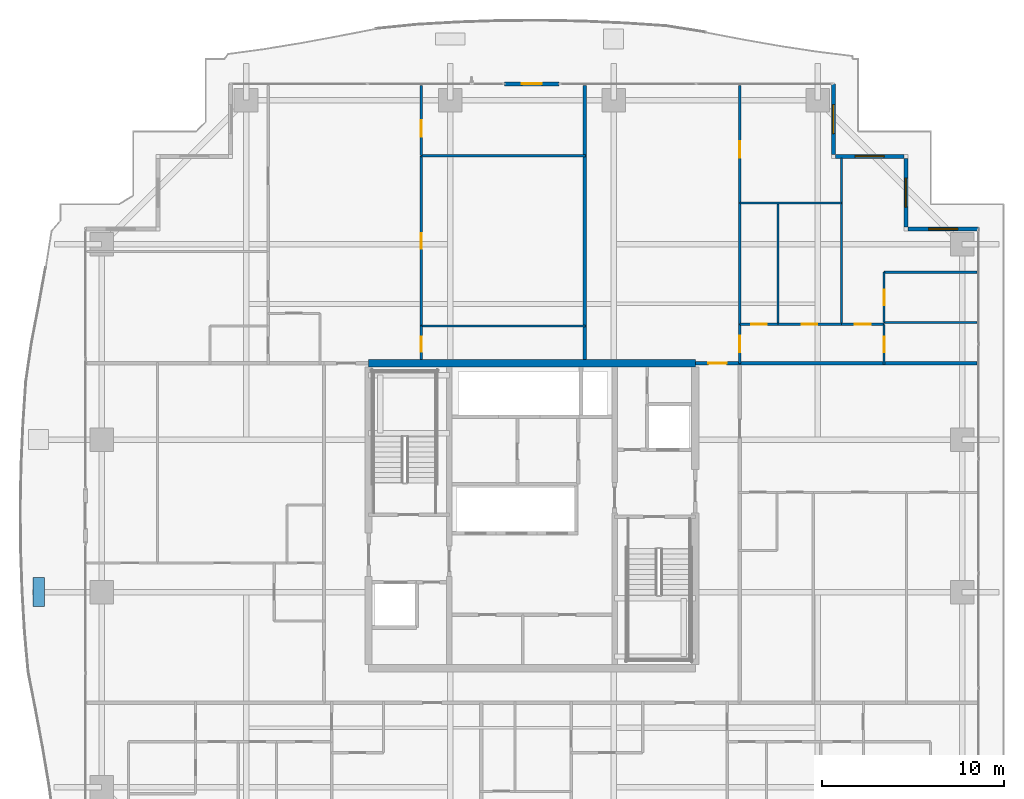
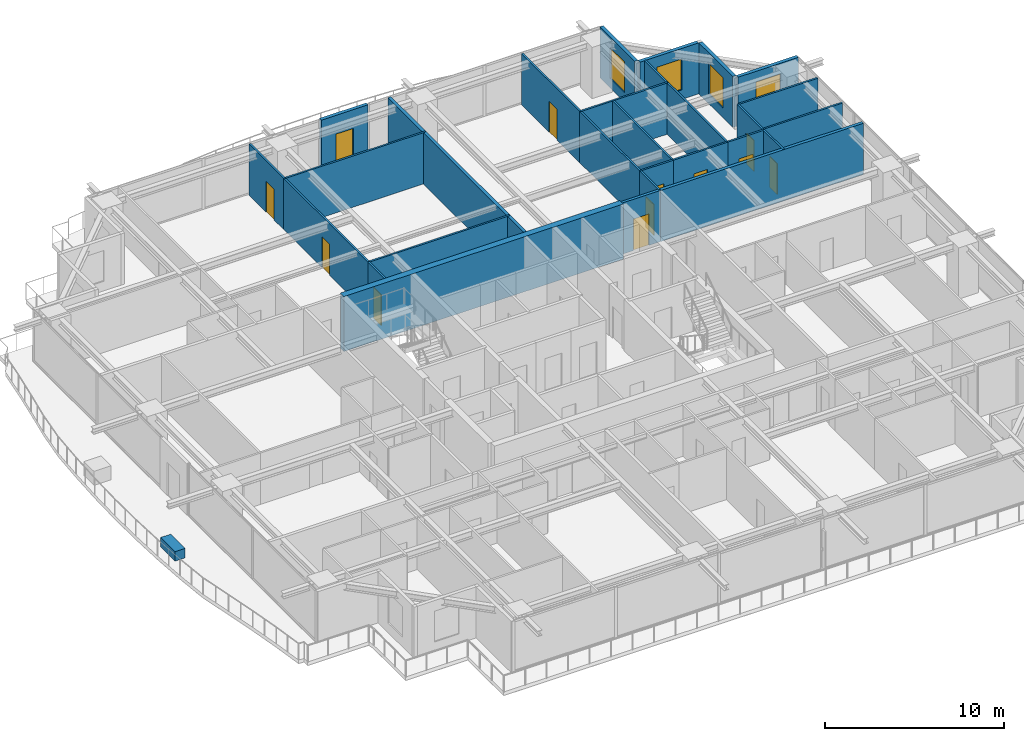
# One storey, part 31 of 39: 27 walls, 12 doors, 4 windows, 1 discrete accessory, 16 openings.
"""IFC4 building model written with IfcOpenShell, lengths in metres."""

import ifcopenshell
import ifcopenshell.guid

model = None  # the IFC model being written
_history = None  # IfcOwnerHistory: only IFC2X3 demands one
_inside = {}  # id of a spatial element -> (the spatial element, [elements in it])
_under = {}  # id of a project, library or spatial element -> (it, [spatial elements below it])
_declared = {}  # id of a project -> (the project, [libraries it declares])
_typed = {}  # id of a type object -> (the type object, [elements of that type])
_made_of = {}  # id of a material, layer set ... -> (it, [elements and type objects made of it])


def new_model(schema):
    """Start an empty IFC model of exactly this schema.

    Asked for "IFC4X3", IfcOpenShell would pick the latest addendum, in which some entities
    have other attributes; the version numbers below select the first issue.
    IFC2X3 requires an IfcOwnerHistory on every rooted entity: one is made here for all.
    """
    global model, _history
    if schema == "IFC4X3":
        model = ifcopenshell.file(schema_version=(4, 3, 0, 0))
    else:
        model = ifcopenshell.file(schema=schema)
    _inside.clear()
    _under.clear()
    _declared.clear()
    _typed.clear()
    _made_of.clear()
    _history = None
    if model.schema == "IFC2X3":
        org = make("IfcOrganization", Name="unknown")
        user = make(
            "IfcPersonAndOrganization",
            ThePerson=make("IfcPerson", FamilyName="unknown"),
            TheOrganization=org,
        )
        app = make(
            "IfcApplication",
            ApplicationDeveloper=org,
            Version="unknown",
            ApplicationFullName="unknown",
            ApplicationIdentifier="unknown",
        )
        _history = make(
            "IfcOwnerHistory",
            OwningUser=user,
            OwningApplication=app,
            ChangeAction="ADDED",
            CreationDate=0,
        )
    return model


def make(cls, **values):
    """One entity of the class cls with the attributes given. An attribute that is None is left unset."""
    return model.create_entity(
        cls, **{name: value for name, value in values.items() if value is not None}
    )


def rooted(cls, **values):
    """An entity with a GlobalId (a new one), such as an element, a storey or a relation."""
    return make(cls, GlobalId=ifcopenshell.guid.new(), OwnerHistory=_history, **values)


def si_unit(unit_type, name, prefix=None):
    """IfcSIUnit, for example si_unit("LENGTHUNIT", "METRE", prefix="MILLI")."""
    return make("IfcSIUnit", UnitType=unit_type, Prefix=prefix, Name=name)


def assignment(units):
    """IfcUnitAssignment: the units of a project."""
    return None if units is None else make("IfcUnitAssignment", Units=units)


def point(xyz):
    """IfcCartesianPoint."""
    return None if xyz is None else make("IfcCartesianPoint", Coordinates=xyz)


def direction(xyz):
    """IfcDirection."""
    return None if xyz is None else make("IfcDirection", DirectionRatios=xyz)


def frame(location, z_axis=None, x_axis=None):
    """IfcAxis2Placement3D, a coordinate frame: its origin and axes. An axis left out is left unset."""
    return make(
        "IfcAxis2Placement3D",
        Location=point(location),
        Axis=direction(z_axis),
        RefDirection=direction(x_axis),
    )


def frame_2d(location, x_axis=None):
    """IfcAxis2Placement2D, a coordinate frame in the plane: its origin and x axis."""
    return make(
        "IfcAxis2Placement2D", Location=point(location), RefDirection=direction(x_axis)
    )


def origin():
    """The frame at (0, 0, 0) with its axes left unset."""
    return frame((0.0, 0.0, 0.0))


def origin_2d():
    """The frame at (0, 0) in the plane with its x axis left unset."""
    return frame_2d((0.0, 0.0))


def place(relative_to, where):
    """IfcLocalPlacement: puts the frame where relative to a parent placement (None: the world)."""
    return make(
        "IfcLocalPlacement", PlacementRelTo=relative_to, RelativePlacement=where
    )


def context(
    kind, dimensions, precision=None, world=None, true_north=None, identifier=None
):
    """IfcGeometricRepresentationContext, for example the 3D "Model" context."""
    return make(
        "IfcGeometricRepresentationContext",
        ContextIdentifier=identifier,
        ContextType=kind,
        CoordinateSpaceDimension=dimensions,
        Precision=precision,
        WorldCoordinateSystem=world,
        TrueNorth=true_north,
    )


def subcontext(parent, identifier, kind, view, scale=None):
    """IfcGeometricRepresentationSubContext, for example "Body" below "Model"."""
    return make(
        "IfcGeometricRepresentationSubContext",
        ContextIdentifier=identifier,
        ContextType=kind,
        ParentContext=parent,
        TargetScale=scale,
        TargetView=view,
    )


def project(units=None, contexts=None):
    """IfcProject with its units and contexts."""
    return rooted(
        "IfcProject",
        Name="project",
        RepresentationContexts=contexts,
        UnitsInContext=assignment(units),
    )


def spatial(cls, under=None, at=None, **own):
    """A site, building, storey or space (cls), placed at a placement, below another one or the project."""
    s = rooted(cls, ObjectPlacement=at, **own)
    if under is not None:
        _under.setdefault(under.id(), (under, []))[1].append(s)
    return s


def profile(cls, at=None, kind="AREA", **sizes):
    """A parametric profile (cls). Its sizes go by their IFC names, for example OverallWidth=200.0."""
    return make(cls, ProfileType=kind, Position=at, **sizes)


def rectangle(**sizes):
    """IfcRectangleProfileDef."""
    return profile("IfcRectangleProfileDef", **sizes)


def extrude(swept, where, along, depth):
    """IfcExtrudedAreaSolid: the profile swept, set in the frame where, extruded along a direction by depth."""
    return make(
        "IfcExtrudedAreaSolid",
        SweptArea=swept,
        Position=where,
        ExtrudedDirection=direction(along),
        Depth=depth,
    )


def shape(context_of_items, identifier, shape_type, items):
    """IfcShapeRepresentation: the items that make up one representation, for example the "Body"."""
    return make(
        "IfcShapeRepresentation",
        ContextOfItems=context_of_items,
        RepresentationIdentifier=identifier,
        RepresentationType=shape_type,
        Items=items,
    )


def source(mapping_origin, context_of_items, identifier, shape_type, items):
    """IfcRepresentationMap: a shape defined once, which mapped items show again and again."""
    return make(
        "IfcRepresentationMap",
        MappingOrigin=mapping_origin,
        MappedRepresentation=shape(context_of_items, identifier, shape_type, items),
    )


def transform(
    local_origin,
    x_axis=None,
    y_axis=None,
    z_axis=None,
    scale=None,
    scale2=None,
    scale3=None,
    uniform=True,
):
    """IfcCartesianTransformationOperator3D, or its non-uniform kind. x_axis, y_axis, z_axis: its Axis1, 2, 3."""
    if uniform:
        return make(
            "IfcCartesianTransformationOperator3D",
            Axis1=direction(x_axis),
            Axis2=direction(y_axis),
            LocalOrigin=point(local_origin),
            Scale=scale,
            Axis3=direction(z_axis),
        )
    return make(
        "IfcCartesianTransformationOperator3DnonUniform",
        Axis1=direction(x_axis),
        Axis2=direction(y_axis),
        LocalOrigin=point(local_origin),
        Scale=scale,
        Axis3=direction(z_axis),
        Scale2=scale2,
        Scale3=scale3,
    )


def mapped(mapping_source, mapping_target):
    """IfcMappedItem: shows the shape of a source again, moved by a transform."""
    return make(
        "IfcMappedItem", MappingSource=mapping_source, MappingTarget=mapping_target
    )


def material(Name=None, Category=None):
    """IfcMaterial."""
    return make("IfcMaterial", Name=Name, Category=Category)


def layer(
    of_material, thickness, ventilated=None, Name=None, Category=None, Priority=None
):
    """IfcMaterialLayer: one layer of a wall or slab, of a material (None: an air gap)."""
    return make(
        "IfcMaterialLayer",
        Material=of_material,
        LayerThickness=thickness,
        IsVentilated=ventilated,
        Name=Name,
        Category=Category,
        Priority=Priority,
    )


def layer_set(layers, Name=None):
    """IfcMaterialLayerSet."""
    return make("IfcMaterialLayerSet", MaterialLayers=layers, LayerSetName=Name)


def made_of(thing, what):
    """Note that an element or type object is made of a material, layer set ...; save() writes the relation."""
    if what is not None:
        _made_of.setdefault(what.id(), (what, []))[1].append(thing)
    return thing


def type_object(cls, material=None, **own):
    """A type object (cls), such as IfcWallType, which elements share."""
    return made_of(rooted(cls, **own), material)


def element(
    cls,
    number,
    at=None,
    inside=None,
    cuts=None,
    type_object=None,
    material=None,
    context=None,
    identifier="Body",
    shape_type=None,
    held_by="IfcProductDefinitionShape",
    body=None,
    shapes=None,
    **own,
):
    """One element of the class cls, such as IfcWall. Its Tag is "e" and its number.

    at: its placement. inside: the storey or other place that contains it. cuts: it is an
    opening in that element (IfcRelVoidsElement). A single representation is given by context,
    identifier, shape_type and body (its items); several are given by shapes. held_by: the class
    of the entity that holds the representations. save() writes the other relations.
    """
    e = rooted(cls, Tag="e%d" % number, ObjectPlacement=at, **own)
    if body is not None:
        shapes = [shape(context, identifier, shape_type, body)]
    if shapes is not None:
        e.Representation = make(held_by, Representations=shapes)
    if inside is not None:
        _inside.setdefault(inside.id(), (inside, []))[1].append(e)
    if cuts is not None:
        rooted(
            "IfcRelVoidsElement", RelatingBuildingElement=cuts, RelatedOpeningElement=e
        )
    if type_object is not None:
        _typed.setdefault(type_object.id(), (type_object, []))[1].append(e)
    return made_of(e, material)


def fill(opening, filler):
    """IfcRelFillsElement: the door or window that sits in an opening."""
    return rooted(
        "IfcRelFillsElement",
        RelatingOpeningElement=opening,
        RelatedBuildingElement=filler,
    )


def aggregate(whole, parts):
    """IfcRelAggregates: a whole, such as a stair, and the parts it consists of."""
    return rooted("IfcRelAggregates", RelatingObject=whole, RelatedObjects=parts)


def save(model, path):
    """Write the relations noted so far, then the file.

    IfcRelAggregates (storeys below a building ...), IfcRelContainedInSpatialStructure (elements
    in a storey), IfcRelDefinesByType, IfcRelAssociatesMaterial and IfcRelDeclares: one each for
    every whole, place, type object, material and project.
    """
    for whole, parts in _under.values():
        aggregate(whole, parts)
    for where, things in _inside.values():
        rooted(
            "IfcRelContainedInSpatialStructure",
            RelatedElements=things,
            RelatingStructure=where,
        )
    for kind, things in _typed.values():
        rooted("IfcRelDefinesByType", RelatedObjects=things, RelatingType=kind)
    for what, things in _made_of.values():
        rooted("IfcRelAssociatesMaterial", RelatedObjects=things, RelatingMaterial=what)
    for by, libraries in _declared.values():
        rooted("IfcRelDeclares", RelatingContext=by, RelatedDefinitions=libraries)
    model.write(path)


model = new_model("IFC4")

# Units and contexts
model_context = context("Model", 3, precision=1e-05, world=origin(), true_north=direction((0.0, 1.0)))
body_context = subcontext(model_context, "Body", "Model", "MODEL_VIEW")
ifc_project = project(units=[si_unit("LENGTHUNIT", "METRE"), si_unit("AREAUNIT", "SQUARE_METRE"), si_unit("VOLUMEUNIT", "CUBIC_METRE"), si_unit("PLANEANGLEUNIT", "RADIAN"), si_unit("MASSUNIT", "GRAM", prefix="KILO")], contexts=[model_context])

# Site, building, storey
site_placement = place(None, origin())
site = spatial("IfcSite", under=ifc_project, at=site_placement, CompositionType="ELEMENT")
building_placement = place(site_placement, origin())
building = spatial("IfcBuilding", under=site, at=building_placement, Name="Serunith Strait Residences", CompositionType="ELEMENT")
storey_placement = place(building_placement, frame((0.0, 0.0, 168.89990234375)))
storey = spatial("IfcBuildingStorey", under=building, at=storey_placement, Name="L42", CompositionType="ELEMENT", Elevation=168.89990234375)

# Wall, opening, window
ifc_material_1 = material(Name="Pale-Champagne Aluminium Insulated Panel", Category="aluminium")
ifc_layer_1 = layer(ifc_material_1, 0.219970703125, Name="Pale-Champagne Aluminium Insulated Panel")
ifc_layer_set_1 = layer_set([ifc_layer_1], Name="Pale-Champagne Aluminium Insulated Panel")
wall_type_1 = type_object("IfcWallType", Name="EW-ALUM-220", PredefinedType="ELEMENTEDWALL", material=ifc_layer_set_1)
wall_1_placement = place(storey_placement, frame((57.0, 41.0, 0.0), z_axis=(0.0, 0.0, 1.0), x_axis=(-1.0, 0.0, 0.0)))
wall_1 = element("IfcWall", 1, at=wall_1_placement, inside=storey, type_object=wall_type_1, Name="L42 Girih Serrated Corner Wall 07", PredefinedType="ELEMENTEDWALL", context=body_context, shape_type="SweptSolid", body=[
    extrude(rectangle(XDim=3.889892578125, YDim=0.219970703125, at=frame_2d((1.94482421875, 0.0))), origin(), (0.0, 0.0, 1.0), 3.47509765625),
])
opening_1_placement = place(wall_1_placement, frame((1.14501953125, 0.0, 0.64990234375)))
opening_1 = element("IfcOpeningElement", 2, at=opening_1_placement, cuts=wall_1, Name="Opening W-02", PredefinedType="OPENING", context=body_context, shape_type="SweptSolid", body=[
    extrude(rectangle(XDim=1.60009765625, YDim=2.10009765625, at=frame_2d((0.800048828125, 1.050048828125))), frame((0.0, 0.1201171875, 0.0), z_axis=(0.0, -1.0, 0.0), x_axis=(1.0, 0.0, 0.0)), (0.0, 0.0, 1.0), 0.239990234375),
])
ifc_material_2 = material(Name="Ceramic-Fritted Operable Aluminium Window Glass", Category="aluminium")
window_type = type_object("IfcWindowType", Name="WIN-C2", PartitioningType="DOUBLE_PANEL_VERTICAL", PredefinedType="WINDOW", material=ifc_material_2)
shared_shape_1 = source(origin(), body_context, "Body", "SweptSolid", [
    extrude(rectangle(XDim=1.60009765625, YDim=2.10009765625, at=frame_2d((0.800048828125, 1.050048828125))), frame((0.0, 0.030029296875, 0.0), z_axis=(0.0, -1.0, 0.0), x_axis=(1.0, 0.0, 0.0)), (0.0, 0.0, 1.0), 0.06005859375),
])
window_1_placement = place(opening_1_placement, origin())
window_1 = element("IfcWindow", 3, at=window_1_placement, inside=storey, type_object=window_type, Name="L42 Corner Operable Fritted Window 07", OverallHeight=2.10009765625, OverallWidth=1.60009765625, PartitioningType="SINGLE_PANEL", PredefinedType="WINDOW", context=body_context, shape_type="MappedRepresentation", body=[
    mapped(shared_shape_1, transform((0.0, 0.0, 0.0), scale=1.0)),
])
fill(opening_1, window_1)

wall_2_placement = place(storey_placement, frame((53.0, 41.110107421875, 0.0), z_axis=(0.0, 0.0, 1.0), x_axis=(0.0, 1.0, 0.0)))
wall_2 = element("IfcWall", 4, at=wall_2_placement, inside=storey, type_object=wall_type_1, Name="L42 Girih Serrated Corner Wall 08", PredefinedType="ELEMENTEDWALL", context=body_context, shape_type="SweptSolid", body=[
    extrude(rectangle(XDim=3.77978515625, YDim=0.219970703125, at=frame_2d((1.889892578125, 0.0))), origin(), (0.0, 0.0, 1.0), 3.47509765625),
])
opening_2_placement = place(wall_2_placement, frame((1.090087890625, 0.0, 0.64990234375)))
opening_2 = element("IfcOpeningElement", 5, at=opening_2_placement, cuts=wall_2, Name="Opening W-02", PredefinedType="OPENING", context=body_context, shape_type="SweptSolid", body=[
    extrude(rectangle(XDim=1.60009765625, YDim=2.10009765625, at=frame_2d((0.800048828125, 1.050048828125))), frame((0.0, 0.1201171875, 0.0), z_axis=(0.0, -1.0, 0.0), x_axis=(1.0, 0.0, 0.0)), (0.0, 0.0, 1.0), 0.239990234375),
])
window_2_placement = place(opening_2_placement, origin())
window_2 = element("IfcWindow", 6, at=window_2_placement, inside=storey, type_object=window_type, Name="L42 Corner Operable Fritted Window 08", OverallHeight=2.10009765625, OverallWidth=1.60009765625, PartitioningType="SINGLE_PANEL", PredefinedType="WINDOW", context=body_context, shape_type="MappedRepresentation", body=[
    mapped(shared_shape_1, transform((0.0, 0.0, 0.0), scale=1.0)),
])
fill(opening_2, window_2)

wall_3_placement = place(storey_placement, frame((52.889892578125, 45.0, 0.0), z_axis=(0.0, 0.0, 1.0), x_axis=(-1.0, 0.0, 0.0)))
wall_3 = element("IfcWall", 7, at=wall_3_placement, inside=storey, type_object=wall_type_1, Name="L42 Girih Serrated Corner Wall 09", PredefinedType="ELEMENTEDWALL", context=body_context, shape_type="SweptSolid", body=[
    extrude(rectangle(XDim=3.77978515625, YDim=0.219970703125, at=frame_2d((1.889892578125, 0.0))), origin(), (0.0, 0.0, 1.0), 3.47509765625),
])
opening_3_placement = place(wall_3_placement, frame((1.090087890625, 0.0, 0.64990234375)))
opening_3 = element("IfcOpeningElement", 8, at=opening_3_placement, cuts=wall_3, Name="Opening W-02", PredefinedType="OPENING", context=body_context, shape_type="SweptSolid", body=[
    extrude(rectangle(XDim=1.60009765625, YDim=2.10009765625, at=frame_2d((0.800048828125, 1.050048828125))), frame((0.0, 0.1201171875, 0.0), z_axis=(0.0, -1.0, 0.0), x_axis=(1.0, 0.0, 0.0)), (0.0, 0.0, 1.0), 0.239990234375),
])
window_3_placement = place(opening_3_placement, origin())
window_3 = element("IfcWindow", 9, at=window_3_placement, inside=storey, type_object=window_type, Name="L42 Corner Operable Fritted Window 09", OverallHeight=2.10009765625, OverallWidth=1.60009765625, PartitioningType="SINGLE_PANEL", PredefinedType="WINDOW", context=body_context, shape_type="MappedRepresentation", body=[
    mapped(shared_shape_1, transform((0.0, 0.0, 0.0), scale=1.0)),
])
fill(opening_3, window_3)

wall_4_placement = place(storey_placement, frame((49.0, 45.110107421875, 0.0), z_axis=(0.0, 0.0, 1.0), x_axis=(0.0, 1.0, 0.0)))
wall_4 = element("IfcWall", 10, at=wall_4_placement, inside=storey, type_object=wall_type_1, Name="L42 Girih Serrated Corner Wall 10", PredefinedType="ELEMENTEDWALL", context=body_context, shape_type="SweptSolid", body=[
    extrude(rectangle(XDim=3.889892578125, YDim=0.219970703125, at=frame_2d((1.94482421875, 0.0))), origin(), (0.0, 0.0, 1.0), 3.47509765625),
])
opening_4_placement = place(wall_4_placement, frame((1.14501953125, 0.0, 0.64990234375)))
opening_4 = element("IfcOpeningElement", 11, at=opening_4_placement, cuts=wall_4, Name="Opening W-02", PredefinedType="OPENING", context=body_context, shape_type="SweptSolid", body=[
    extrude(rectangle(XDim=1.60009765625, YDim=2.10009765625, at=frame_2d((0.800048828125, 1.050048828125))), frame((0.0, 0.1201171875, 0.0), z_axis=(0.0, -1.0, 0.0), x_axis=(1.0, 0.0, 0.0)), (0.0, 0.0, 1.0), 0.239990234375),
])
window_4_placement = place(opening_4_placement, origin())
window_4 = element("IfcWindow", 12, at=window_4_placement, inside=storey, type_object=window_type, Name="L42 Corner Operable Fritted Window 10", OverallHeight=2.10009765625, OverallWidth=1.60009765625, PartitioningType="SINGLE_PANEL", PredefinedType="WINDOW", context=body_context, shape_type="MappedRepresentation", body=[
    mapped(shared_shape_1, transform((0.0, 0.0, 0.0), scale=1.0)),
])
fill(opening_4, window_4)

# Wall, opening, door
wall_5_placement = place(storey_placement, frame((33.89990234375, 49.0, 0.0), z_axis=(0.0, 0.0, 1.0), x_axis=(-1.0, 0.0, 0.0)))
wall_5 = element("IfcWall", 13, at=wall_5_placement, inside=storey, type_object=wall_type_1, Name="L42 N Facade Pier Wall", PredefinedType="ELEMENTEDWALL", context=body_context, shape_type="SweptSolid", body=[
    extrude(rectangle(XDim=3.0, YDim=0.219970703125, at=frame_2d((1.5, 0.0))), origin(), (0.0, 0.0, 1.0), 3.47509765625),
])
opening_5_placement = place(wall_5_placement, frame((0.949951171875, 0.0, 0.0)))
opening_5 = element("IfcOpeningElement", 14, at=opening_5_placement, cuts=wall_5, Name="Opening ED-03", PredefinedType="OPENING", context=body_context, shape_type="SweptSolid", body=[
    extrude(rectangle(XDim=1.10009765625, YDim=2.199951171875, at=frame_2d((0.550048828125, 1.10009765625))), frame((0.0, 0.1201171875, 0.0), z_axis=(0.0, -1.0, 0.0), x_axis=(1.0, 0.0, 0.0)), (0.0, 0.0, 1.0), 0.239990234375),
])
ifc_material_3 = material(Name="Thermally-Broken Aluminium Glazed Balcony Door", Category="aluminium")
door_type_1 = type_object("IfcDoorType", Name="ED-BALC-1100", OperationType="NOTDEFINED", PredefinedType="DOOR", material=ifc_material_3)
shared_shape_2 = source(origin(), body_context, "Body", "SweptSolid", [
    extrude(rectangle(XDim=1.10009765625, YDim=2.199951171875, at=frame_2d((0.550048828125, 1.10009765625))), frame((0.0, 0.02490234375, 0.0), z_axis=(0.0, -1.0, 0.0), x_axis=(1.0, 0.0, 0.0)), (0.0, 0.0, 1.0), 0.050048828125),
])
door_1_placement = place(opening_5_placement, origin())
door_1 = element("IfcDoor", 15, at=door_1_placement, inside=storey, type_object=door_type_1, Name="L42 N Vertical-Forest Balcony Door", OperationType="SINGLE_SWING_RIGHT", OverallHeight=2.199951171875, OverallWidth=1.10009765625, PredefinedType="DOOR", context=body_context, shape_type="MappedRepresentation", body=[
    mapped(shared_shape_2, transform((0.0, 0.0, 0.0), scale=1.0)),
])
fill(opening_5, door_1)

ifc_material_4 = material(Name="Fire-rated acoustic gypsum partition")
ifc_layer_2 = layer(ifc_material_4, 0.179931640625, Name="Fire-rated acoustic gypsum partition")
ifc_layer_set_2 = layer_set([ifc_layer_2], Name="Fire-rated acoustic gypsum partition")
wall_type_2 = type_object("IfcWallType", Name="IW-CORR-180", PredefinedType="PARTITIONING", material=ifc_layer_set_2)
wall_6_placement = place(storey_placement, frame((41.402099609375, 33.60009765625, 0.0), z_axis=(0.0, 0.0, 1.0), x_axis=(1.0, 0.0, 0.0)))
wall_6 = element("IfcWall", 16, at=wall_6_placement, inside=storey, type_object=wall_type_2, Name="L42 Partition Wall 028", PredefinedType="PARTITIONING", context=body_context, shape_type="SweptSolid", body=[
    extrude(rectangle(XDim=2.44580078125, YDim=0.179931640625, at=frame_2d((1.222900390625, 0.0))), origin(), (0.0, 0.0, 1.0), 3.489990234375),
])
opening_6_placement = place(wall_6_placement, frame((0.722900390625, 0.0, 0.0)))
opening_6 = element("IfcOpeningElement", 17, at=opening_6_placement, cuts=wall_6, Name="Opening D-APT1000", PredefinedType="OPENING", context=body_context, shape_type="SweptSolid", body=[
    extrude(rectangle(XDim=1.0, YDim=2.14990234375, at=frame_2d((0.5, 1.074951171875))), frame((0.0, 0.10009765625, 0.0), z_axis=(0.0, -1.0, 0.0), x_axis=(1.0, 0.0, 0.0)), (0.0, 0.0, 1.0), 0.199951171875),
])
ifc_material_5 = material(Name="Solid timber engineered fire door", Category="wood")
door_type_2 = type_object("IfcDoorType", Name="ID-APT-1000", OperationType="NOTDEFINED", PredefinedType="DOOR", material=ifc_material_5)
shared_shape_3 = source(origin(), body_context, "Body", "SweptSolid", [
    extrude(rectangle(XDim=1.0, YDim=2.14990234375, at=frame_2d((0.5, 1.074951171875))), frame((0.0, 0.02490234375, 0.0), z_axis=(0.0, -1.0, 0.0), x_axis=(1.0, 0.0, 0.0)), (0.0, 0.0, 1.0), 0.050048828125),
])
door_2_placement = place(opening_6_placement, origin())
door_2 = element("IfcDoor", 18, at=door_2_placement, inside=storey, type_object=door_type_2, Name="L42 Unit 04 Entrance Door", OperationType="SINGLE_SWING_LEFT", OverallHeight=2.14990234375, OverallWidth=1.0, PredefinedType="DOOR", context=body_context, shape_type="MappedRepresentation", body=[
    mapped(shared_shape_3, transform((0.0, 0.0, 0.0), scale=1.0)),
])
fill(opening_6, door_2)

ifc_material_6 = material(Name="Lightweight steel-stud gypsum partition", Category="steel")
ifc_layer_3 = layer(ifc_material_6, 0.1201171875, Name="Lightweight steel-stud gypsum partition")
ifc_layer_set_3 = layer_set([ifc_layer_3], Name="Lightweight steel-stud gypsum partition")
wall_type_3 = type_object("IfcWallType", Name="IW-PART-120", PredefinedType="PARTITIONING", material=ifc_layer_set_3)
wall_7_placement = place(storey_placement, frame((26.300048828125, 48.905029296875, 0.0), z_axis=(0.0, 0.0, 1.0), x_axis=(0.0, -1.0, 0.0)))
wall_7 = element("IfcWall", 19, at=wall_7_placement, inside=storey, type_object=wall_type_3, Name="L42 Partition Wall 074", PredefinedType="PARTITIONING", context=body_context, shape_type="SweptSolid", body=[
    extrude(rectangle(XDim=3.867919921875, YDim=0.1201171875, at=frame_2d((1.93408203125, 0.0))), origin(), (0.0, 0.0, 1.0), 3.489990234375),
])
opening_7_placement = place(wall_7_placement, frame((1.912109375, 0.0, 0.0)))
opening_7 = element("IfcOpeningElement", 20, at=opening_7_placement, cuts=wall_7, Name="Opening D-RM900", PredefinedType="OPENING", context=body_context, shape_type="SweptSolid", body=[
    extrude(rectangle(XDim=0.89990234375, YDim=2.10009765625, at=frame_2d((0.449951171875, 1.050048828125))), frame((0.0, 0.070068359375, 0.0), z_axis=(0.0, -1.0, 0.0), x_axis=(1.0, 0.0, 0.0)), (0.0, 0.0, 1.0), 0.14013671875),
])
ifc_material_7 = material(Name="Engineered timber flush bedroom door", Category="wood")
door_type_3 = type_object("IfcDoorType", Name="ID-ROOM-900", OperationType="NOTDEFINED", PredefinedType="DOOR", material=ifc_material_7)
shared_shape_4 = source(origin(), body_context, "Body", "SweptSolid", [
    extrude(rectangle(XDim=0.89990234375, YDim=2.10009765625, at=frame_2d((0.449951171875, 1.050048828125))), frame((0.0, 0.02490234375, 0.0), z_axis=(0.0, -1.0, 0.0), x_axis=(1.0, 0.0, 0.0)), (0.0, 0.0, 1.0), 0.050048828125),
])
door_3_placement = place(opening_7_placement, origin())
door_3 = element("IfcDoor", 21, at=door_3_placement, inside=storey, type_object=door_type_3, Name="L42 Bedroom 2 4203 Door", OperationType="SINGLE_SWING_LEFT", OverallHeight=2.10009765625, OverallWidth=0.89990234375, PredefinedType="DOOR", context=body_context, shape_type="MappedRepresentation", body=[
    mapped(shared_shape_4, transform((0.0, 0.0, 0.0), scale=1.0)),
])
fill(opening_7, door_3)

# Walls
for number, where, z_axis, x_axis, name in (
    (22, (26.300048828125, 45.037109375, 0.0), (0.0, 0.0, 1.0), (1.0, 0.0, 0.0), "L42 Partition Wall 075"),
    (23, (26.300048828125, 35.64990234375, 0.0), (0.0, 0.0, 1.0), (1.0, 0.0, 0.0), "L42 Partition Wall 076"),
):
    element("IfcWall", number, at=place(storey_placement, frame(where, z_axis=z_axis, x_axis=x_axis)), inside=storey, type_object=wall_type_3, Name=name, PredefinedType="PARTITIONING", context=body_context, shape_type="SweptSolid", body=[
        extrude(rectangle(XDim=9.06005859375, YDim=0.1201171875, at=frame_2d((4.530029296875, 0.0))), origin(), (0.0, 0.0, 1.0), 3.489990234375),
    ])

# Wall, opening, door
wall_8_placement = place(storey_placement, frame((26.300048828125, 45.034912109375, 0.0), z_axis=(0.0, 0.0, 1.0), x_axis=(0.0, -1.0, 0.0)))
wall_8 = element("IfcWall", 24, at=wall_8_placement, inside=storey, type_object=wall_type_3, Name="L42 Partition Wall 077", PredefinedType="PARTITIONING", context=body_context, shape_type="SweptSolid", body=[
    extrude(rectangle(XDim=9.385009765625, YDim=0.1201171875, at=frame_2d((4.6923828125, 0.0))), origin(), (0.0, 0.0, 1.0), 3.489990234375),
])
opening_8_placement = place(wall_8_placement, frame((4.26708984375, 0.0, 0.0)))
opening_8 = element("IfcOpeningElement", 25, at=opening_8_placement, cuts=wall_8, Name="Opening D-RM850", PredefinedType="OPENING", context=body_context, shape_type="SweptSolid", body=[
    extrude(rectangle(XDim=0.85009765625, YDim=2.10009765625, at=frame_2d((0.425048828125, 1.050048828125))), frame((0.0, 0.070068359375, 0.0), z_axis=(0.0, -1.0, 0.0), x_axis=(1.0, 0.0, 0.0)), (0.0, 0.0, 1.0), 0.14013671875),
])
ifc_material_8 = material(Name="Engineered timber flush study and kitchen door", Category="wood")
door_type_4 = type_object("IfcDoorType", Name="ID-ROOM-850", OperationType="NOTDEFINED", PredefinedType="DOOR", material=ifc_material_8)
shared_shape_5 = source(origin(), body_context, "Body", "SweptSolid", [
    extrude(rectangle(XDim=0.85009765625, YDim=2.10009765625, at=frame_2d((0.425048828125, 1.050048828125))), frame((0.0, 0.02490234375, 0.0), z_axis=(0.0, -1.0, 0.0), x_axis=(1.0, 0.0, 0.0)), (0.0, 0.0, 1.0), 0.050048828125),
])
door_4_placement = place(opening_8_placement, origin())
door_4 = element("IfcDoor", 26, at=door_4_placement, inside=storey, type_object=door_type_4, Name="L42 Walk-in Wardrobe 4203 Door", OperationType="SINGLE_SWING_RIGHT", OverallHeight=2.10009765625, OverallWidth=0.85009765625, PredefinedType="DOOR", context=body_context, shape_type="MappedRepresentation", body=[
    mapped(shared_shape_5, transform((0.0, 0.0, 0.0), scale=1.0)),
])
fill(opening_8, door_4)

wall_9_placement = place(storey_placement, frame((26.300048828125, 35.64794921875, 0.0), z_axis=(0.0, 0.0, 1.0), x_axis=(0.0, -1.0, 0.0)))
wall_9 = element("IfcWall", 27, at=wall_9_placement, inside=storey, type_object=wall_type_3, Name="L42 Partition Wall 078", PredefinedType="PARTITIONING", context=body_context, shape_type="SweptSolid", body=[
    extrude(rectangle(XDim=1.847900390625, YDim=0.1201171875, at=frame_2d((0.923828125, 0.0))), origin(), (0.0, 0.0, 1.0), 3.489990234375),
])
opening_9_placement = place(wall_9_placement, frame((0.569091796875, 0.0, 0.0)))
opening_9 = element("IfcOpeningElement", 28, at=opening_9_placement, cuts=wall_9, Name="Opening D-BTH850", PredefinedType="OPENING", context=body_context, shape_type="SweptSolid", body=[
    extrude(rectangle(XDim=0.85009765625, YDim=2.10009765625, at=frame_2d((0.425048828125, 1.050048828125))), frame((0.0, 0.070068359375, 0.0), z_axis=(0.0, -1.0, 0.0), x_axis=(1.0, 0.0, 0.0)), (0.0, 0.0, 1.0), 0.14013671875),
])
ifc_material_9 = material(Name="Moisture-resistant timber bathroom door", Category="wood")
door_type_5 = type_object("IfcDoorType", Name="ID-BATH-850", OperationType="NOTDEFINED", PredefinedType="DOOR", material=ifc_material_9)
door_5_placement = place(opening_9_placement, origin())
door_5 = element("IfcDoor", 29, at=door_5_placement, inside=storey, type_object=door_type_5, Name="L42 Bathroom 4203 Door", OperationType="SINGLE_SWING_LEFT", OverallHeight=2.10009765625, OverallWidth=0.85009765625, PredefinedType="DOOR", context=body_context, shape_type="MappedRepresentation", body=[
    mapped(shared_shape_5, transform((0.0, 0.0, 0.0), scale=1.0)),
])
fill(opening_9, door_5)

wall_10_placement = place(storey_placement, frame((43.85009765625, 35.75, 0.0), z_axis=(0.0, 0.0, 1.0), x_axis=(0.0, -1.0, 0.0)))
wall_10 = element("IfcWall", 30, at=wall_10_placement, inside=storey, type_object=wall_type_3, Name="L42 Partition Wall 079", PredefinedType="PARTITIONING", context=body_context, shape_type="SweptSolid", body=[
    extrude(rectangle(XDim=2.14794921875, YDim=0.1201171875, at=frame_2d((1.073974609375, 0.0))), origin(), (0.0, 0.0, 1.0), 3.489990234375),
])
opening_10_placement = place(wall_10_placement, frame((0.64208984375, 0.0, 0.0)))
opening_10 = element("IfcOpeningElement", 31, at=opening_10_placement, cuts=wall_10, Name="Opening D-RM900", PredefinedType="OPENING", context=body_context, shape_type="SweptSolid", body=[
    extrude(rectangle(XDim=0.89990234375, YDim=2.10009765625, at=frame_2d((0.449951171875, 1.050048828125))), frame((0.0, 0.070068359375, 0.0), z_axis=(0.0, -1.0, 0.0), x_axis=(1.0, 0.0, 0.0)), (0.0, 0.0, 1.0), 0.14013671875),
])
door_6_placement = place(opening_10_placement, origin())
door_6 = element("IfcDoor", 32, at=door_6_placement, inside=storey, type_object=door_type_3, Name="L42 Hall E 4204 Door", OperationType="SINGLE_SWING_RIGHT", OverallHeight=2.10009765625, OverallWidth=0.89990234375, PredefinedType="DOOR", context=body_context, shape_type="MappedRepresentation", body=[
    mapped(shared_shape_4, transform((0.0, 0.0, 0.0), scale=1.0)),
])
fill(opening_10, door_6)

wall_11_placement = place(storey_placement, frame((43.85009765625, 48.905029296875, 0.0), z_axis=(0.0, 0.0, 1.0), x_axis=(0.0, -1.0, 0.0)))
wall_11 = element("IfcWall", 33, at=wall_11_placement, inside=storey, type_object=wall_type_3, Name="L42 Partition Wall 080", PredefinedType="PARTITIONING", context=body_context, shape_type="SweptSolid", body=[
    extrude(rectangle(XDim=6.47900390625, YDim=0.1201171875, at=frame_2d((3.239501953125, 0.0))), origin(), (0.0, 0.0, 1.0), 3.489990234375),
])
opening_11_placement = place(wall_11_placement, frame((3.068115234375, 0.0, 0.0)))
opening_11 = element("IfcOpeningElement", 34, at=opening_11_placement, cuts=wall_11, Name="Opening D-RM900", PredefinedType="OPENING", context=body_context, shape_type="SweptSolid", body=[
    extrude(rectangle(XDim=0.89990234375, YDim=2.10009765625, at=frame_2d((0.449951171875, 1.050048828125))), frame((0.0, 0.070068359375, 0.0), z_axis=(0.0, -1.0, 0.0), x_axis=(1.0, 0.0, 0.0)), (0.0, 0.0, 1.0), 0.14013671875),
])
door_7_placement = place(opening_11_placement, origin())
door_7 = element("IfcDoor", 35, at=door_7_placement, inside=storey, type_object=door_type_3, Name="L42 Formal Dining Room 1 4204 Door", OperationType="SINGLE_SWING_LEFT", OverallHeight=2.10009765625, OverallWidth=0.89990234375, PredefinedType="DOOR", context=body_context, shape_type="MappedRepresentation", body=[
    mapped(shared_shape_4, transform((0.0, 0.0, 0.0), scale=1.0)),
])
fill(opening_11, door_7)

# Walls
wall_12_placement = place(storey_placement, frame((43.85009765625, 42.424072265625, 0.0), z_axis=(0.0, 0.0, 1.0), x_axis=(0.0, -1.0, 0.0)))
element("IfcWall", 36, at=wall_12_placement, inside=storey, type_object=wall_type_3, Name="L42 Partition Wall 081", PredefinedType="PARTITIONING", context=body_context, shape_type="SweptSolid", body=[
    extrude(rectangle(XDim=6.672119140625, YDim=0.1201171875, at=frame_2d((3.3359375, 0.0))), origin(), (0.0, 0.0, 1.0), 3.489990234375),
])
wall_13_placement = place(storey_placement, frame((43.85009765625, 42.426025390625, 0.0), z_axis=(0.0, 0.0, 1.0), x_axis=(1.0, 0.0, 0.0)))
element("IfcWall", 37, at=wall_13_placement, inside=storey, type_object=wall_type_3, Name="L42 Partition Wall 082", PredefinedType="PARTITIONING", context=body_context, shape_type="SweptSolid", body=[
    extrude(rectangle(XDim=5.599853515625, YDim=0.1201171875, at=frame_2d((2.7998046875, 0.0))), origin(), (0.0, 0.0, 1.0), 3.489990234375),
])
wall_14_placement = place(storey_placement, frame((49.449951171875, 44.905029296875, 0.0), z_axis=(0.0, 0.0, 1.0), x_axis=(0.0, -1.0, 0.0)))
element("IfcWall", 38, at=wall_14_placement, inside=storey, type_object=wall_type_3, Name="L42 Partition Wall 083", PredefinedType="PARTITIONING", context=body_context, shape_type="SweptSolid", body=[
    extrude(rectangle(XDim=9.155029296875, YDim=0.1201171875, at=frame_2d((4.57763671875, 0.0))), origin(), (0.0, 0.0, 1.0), 3.489990234375),
])
wall_15_placement = place(storey_placement, frame((45.949951171875, 42.426025390625, 0.0), z_axis=(0.0, 0.0, 1.0), x_axis=(0.0, -1.0, 0.0)))
element("IfcWall", 39, at=wall_15_placement, inside=storey, type_object=wall_type_3, Name="L42 Partition Wall 084", PredefinedType="PARTITIONING", context=body_context, shape_type="SweptSolid", body=[
    extrude(rectangle(XDim=6.676025390625, YDim=0.1201171875, at=frame_2d((3.337890625, 0.0))), origin(), (0.0, 0.0, 1.0), 3.489990234375),
])

# Wall, opening, door
wall_16_placement = place(storey_placement, frame((43.85009765625, 35.75, 0.0), z_axis=(0.0, 0.0, 1.0), x_axis=(1.0, 0.0, 0.0)))
wall_16 = element("IfcWall", 40, at=wall_16_placement, inside=storey, type_object=wall_type_3, Name="L42 Partition Wall 085", PredefinedType="PARTITIONING", context=body_context, shape_type="SweptSolid", body=[
    extrude(rectangle(XDim=2.099853515625, YDim=0.1201171875, at=frame_2d((1.0498046875, 0.0))), origin(), (0.0, 0.0, 1.0), 3.489990234375),
])
opening_12_placement = place(wall_16_placement, frame((0.625, 0.0, 0.0)))
opening_12 = element("IfcOpeningElement", 41, at=opening_12_placement, cuts=wall_16, Name="Opening D-BTH850", PredefinedType="OPENING", context=body_context, shape_type="SweptSolid", body=[
    extrude(rectangle(XDim=0.85009765625, YDim=2.10009765625, at=frame_2d((0.425048828125, 1.050048828125))), frame((0.0, 0.070068359375, 0.0), z_axis=(0.0, -1.0, 0.0), x_axis=(1.0, 0.0, 0.0)), (0.0, 0.0, 1.0), 0.14013671875),
])
door_8_placement = place(opening_12_placement, origin())
door_8 = element("IfcDoor", 42, at=door_8_placement, inside=storey, type_object=door_type_5, Name="L42 Bathroom 4204 Door", OperationType="SINGLE_SWING_RIGHT", OverallHeight=2.10009765625, OverallWidth=0.85009765625, PredefinedType="DOOR", context=body_context, shape_type="MappedRepresentation", body=[
    mapped(shared_shape_5, transform((0.0, 0.0, 0.0), scale=1.0)),
])
fill(opening_12, door_8)

wall_17_placement = place(storey_placement, frame((45.951904296875, 35.75, 0.0), z_axis=(0.0, 0.0, 1.0), x_axis=(1.0, 0.0, 0.0)))
wall_17 = element("IfcWall", 43, at=wall_17_placement, inside=storey, type_object=wall_type_3, Name="L42 Partition Wall 086", PredefinedType="PARTITIONING", context=body_context, shape_type="SweptSolid", body=[
    extrude(rectangle(XDim=3.498046875, YDim=0.1201171875, at=frame_2d((1.7490234375, 0.0))), origin(), (0.0, 0.0, 1.0), 3.489990234375),
])
opening_13_placement = place(wall_17_placement, frame((1.323974609375, 0.0, 0.0)))
opening_13 = element("IfcOpeningElement", 44, at=opening_13_placement, cuts=wall_17, Name="Opening D-RM850", PredefinedType="OPENING", context=body_context, shape_type="SweptSolid", body=[
    extrude(rectangle(XDim=0.85009765625, YDim=2.10009765625, at=frame_2d((0.425048828125, 1.050048828125))), frame((0.0, 0.070068359375, 0.0), z_axis=(0.0, -1.0, 0.0), x_axis=(1.0, 0.0, 0.0)), (0.0, 0.0, 1.0), 0.14013671875),
])
door_9_placement = place(opening_13_placement, origin())
door_9 = element("IfcDoor", 45, at=door_9_placement, inside=storey, type_object=door_type_4, Name="L42 Kitchen 4204 Door", OperationType="SINGLE_SWING_LEFT", OverallHeight=2.10009765625, OverallWidth=0.85009765625, PredefinedType="DOOR", context=body_context, shape_type="MappedRepresentation", body=[
    mapped(shared_shape_5, transform((0.0, 0.0, 0.0), scale=1.0)),
])
fill(opening_13, door_9)

wall_18_placement = place(storey_placement, frame((49.451904296875, 35.75, 0.0), z_axis=(0.0, 0.0, 1.0), x_axis=(1.0, 0.0, 0.0)))
wall_18 = element("IfcWall", 46, at=wall_18_placement, inside=storey, type_object=wall_type_3, Name="L42 Partition Wall 087", PredefinedType="PARTITIONING", context=body_context, shape_type="SweptSolid", body=[
    extrude(rectangle(XDim=2.34814453125, YDim=0.1201171875, at=frame_2d((1.174072265625, 0.0))), origin(), (0.0, 0.0, 1.0), 3.489990234375),
])
opening_14_placement = place(wall_18_placement, frame((0.72412109375, 0.0, 0.0)))
opening_14 = element("IfcOpeningElement", 47, at=opening_14_placement, cuts=wall_18, Name="Opening D-RM900", PredefinedType="OPENING", context=body_context, shape_type="SweptSolid", body=[
    extrude(rectangle(XDim=0.89990234375, YDim=2.10009765625, at=frame_2d((0.449951171875, 1.050048828125))), frame((0.0, 0.070068359375, 0.0), z_axis=(0.0, -1.0, 0.0), x_axis=(1.0, 0.0, 0.0)), (0.0, 0.0, 1.0), 0.14013671875),
])
door_10_placement = place(opening_14_placement, origin())
door_10 = element("IfcDoor", 48, at=door_10_placement, inside=storey, type_object=door_type_3, Name="L42 Master Bedroom E 4204 Door", OperationType="SINGLE_SWING_RIGHT", OverallHeight=2.10009765625, OverallWidth=0.89990234375, PredefinedType="DOOR", context=body_context, shape_type="MappedRepresentation", body=[
    mapped(shared_shape_4, transform((0.0, 0.0, 0.0), scale=1.0)),
])
fill(opening_14, door_10)

# Walls
wall_19_placement = place(storey_placement, frame((51.800048828125, 38.62109375, 0.0), z_axis=(0.0, 0.0, 1.0), x_axis=(1.0, 0.0, 0.0)))
element("IfcWall", 49, at=wall_19_placement, inside=storey, type_object=wall_type_3, Name="L42 Partition Wall 088", PredefinedType="PARTITIONING", context=body_context, shape_type="SweptSolid", body=[
    extrude(rectangle(XDim=5.10498046875, YDim=0.1201171875, at=frame_2d((2.552490234375, 0.0))), origin(), (0.0, 0.0, 1.0), 3.489990234375),
])
wall_20_placement = place(storey_placement, frame((51.802001953125, 35.845947265625, 0.0), z_axis=(0.0, 0.0, 1.0), x_axis=(1.0, 0.0, 0.0)))
element("IfcWall", 50, at=wall_20_placement, inside=storey, type_object=wall_type_3, Name="L42 Partition Wall 089", PredefinedType="PARTITIONING", context=body_context, shape_type="SweptSolid", body=[
    extrude(rectangle(XDim=5.10302734375, YDim=0.1201171875, at=frame_2d((2.551513671875, 0.0))), origin(), (0.0, 0.0, 1.0), 3.489990234375),
])

# Wall, opening, door
wall_21_placement = place(storey_placement, frame((51.800048828125, 38.62109375, 0.0), z_axis=(0.0, 0.0, 1.0), x_axis=(0.0, -1.0, 0.0)))
wall_21 = element("IfcWall", 51, at=wall_21_placement, inside=storey, type_object=wall_type_3, Name="L42 Partition Wall 090", PredefinedType="PARTITIONING", context=body_context, shape_type="SweptSolid", body=[
    extrude(rectangle(XDim=2.775146484375, YDim=0.1201171875, at=frame_2d((1.3876953125, 0.0))), origin(), (0.0, 0.0, 1.0), 3.489990234375),
])
opening_15_placement = place(wall_21_placement, frame((0.962890625, 0.0, 0.0)))
opening_15 = element("IfcOpeningElement", 52, at=opening_15_placement, cuts=wall_21, Name="Opening D-BTH850", PredefinedType="OPENING", context=body_context, shape_type="SweptSolid", body=[
    extrude(rectangle(XDim=0.85009765625, YDim=2.10009765625, at=frame_2d((0.425048828125, 1.050048828125))), frame((0.0, 0.070068359375, 0.0), z_axis=(0.0, -1.0, 0.0), x_axis=(1.0, 0.0, 0.0)), (0.0, 0.0, 1.0), 0.14013671875),
])
door_11_placement = place(opening_15_placement, origin())
door_11 = element("IfcDoor", 53, at=door_11_placement, inside=storey, type_object=door_type_5, Name="L42 En-suite Bathroom E 4204 Door", OperationType="SINGLE_SWING_LEFT", OverallHeight=2.10009765625, OverallWidth=0.85009765625, PredefinedType="DOOR", context=body_context, shape_type="MappedRepresentation", body=[
    mapped(shared_shape_5, transform((0.0, 0.0, 0.0), scale=1.0)),
])
fill(opening_15, door_11)

wall_22_placement = place(storey_placement, frame((51.800048828125, 35.75, 0.0), z_axis=(0.0, 0.0, 1.0), x_axis=(0.0, -1.0, 0.0)))
wall_22 = element("IfcWall", 54, at=wall_22_placement, inside=storey, type_object=wall_type_3, Name="L42 Partition Wall 091", PredefinedType="PARTITIONING", context=body_context, shape_type="SweptSolid", body=[
    extrude(rectangle(XDim=2.2099609375, YDim=0.1201171875, at=frame_2d((1.10498046875, 0.0))), origin(), (0.0, 0.0, 1.0), 3.489990234375),
])
opening_16_placement = place(wall_22_placement, frame((0.679931640625, 0.0, 0.0)))
opening_16 = element("IfcOpeningElement", 55, at=opening_16_placement, cuts=wall_22, Name="Opening D-RM850", PredefinedType="OPENING", context=body_context, shape_type="SweptSolid", body=[
    extrude(rectangle(XDim=0.85009765625, YDim=2.10009765625, at=frame_2d((0.425048828125, 1.050048828125))), frame((0.0, 0.070068359375, 0.0), z_axis=(0.0, -1.0, 0.0), x_axis=(1.0, 0.0, 0.0)), (0.0, 0.0, 1.0), 0.14013671875),
])
door_12_placement = place(opening_16_placement, origin())
door_12 = element("IfcDoor", 56, at=door_12_placement, inside=storey, type_object=door_type_4, Name="L42 Wardrobe E 4204 Door", OperationType="SINGLE_SWING_RIGHT", OverallHeight=2.10009765625, OverallWidth=0.85009765625, PredefinedType="DOOR", context=body_context, shape_type="MappedRepresentation", body=[
    mapped(shared_shape_5, transform((0.0, 0.0, 0.0), scale=1.0)),
])
fill(opening_16, door_12)

# Walls
ifc_material_10 = material(Name="Twin-stud acoustic gypsum board partition")
ifc_layer_4 = layer(ifc_material_10, 0.199951171875, Name="Twin-stud acoustic gypsum board partition")
ifc_layer_set_4 = layer_set([ifc_layer_4], Name="Twin-stud acoustic gypsum board partition")
wall_type_4 = type_object("IfcWallType", Name="IW-PARTY-200", PredefinedType="PARTITIONING", material=ifc_layer_set_4)
wall_23_placement = place(storey_placement, frame((35.300048828125, 33.800048828125, 0.0), z_axis=(0.0, 0.0, 1.0), x_axis=(0.0, 1.0, 0.0)))
element("IfcWall", 57, at=wall_23_placement, inside=storey, type_object=wall_type_4, Name="L42 Partition Wall 019", PredefinedType="PARTITIONING", context=body_context, shape_type="SweptSolid", body=[
    extrude(rectangle(XDim=15.117919921875, YDim=0.199951171875, at=frame_2d((7.55908203125, 0.0))), origin(), (0.0, 0.0, 1.0), 3.489990234375),
])
wall_24_placement = place(storey_placement, frame((43.85009765625, 33.60009765625, 0.0), z_axis=(0.0, 0.0, 1.0), x_axis=(1.0, 0.0, 0.0)))
element("IfcWall", 58, at=wall_24_placement, inside=storey, type_object=wall_type_4, Name="L42 Partition Wall 023", PredefinedType="PARTITIONING", context=body_context, shape_type="SweptSolid", body=[
    extrude(rectangle(XDim=13.06787109375, YDim=0.199951171875, at=frame_2d((6.533935546875, 0.0))), origin(), (0.0, 0.0, 1.0), 3.489990234375),
])
ifc_material_11 = material(Name="Concrete C70/85", Category="concrete")
ifc_layer_5 = layer(ifc_material_11, 0.39990234375, Name="Concrete C70/85")
ifc_layer_set_5 = layer_set([ifc_layer_5], Name="Concrete C70/85")
wall_type_5 = type_object("IfcWallType", Name="SW-400-C70", PredefinedType="SHEAR", material=ifc_layer_set_5)
wall_25_placement = place(storey_placement, frame((41.39990234375, 33.60009765625, -0.260009765625), z_axis=(0.0, 0.0, 1.0), x_axis=(-1.0, 0.0, 0.0)))
element("IfcWall", 59, at=wall_25_placement, inside=storey, type_object=wall_type_5, Name="L42 Core North Shear Wall", PredefinedType="SHEAR", context=body_context, shape_type="SweptSolid", body=[
    extrude(rectangle(XDim=18.0, YDim=0.39990234375, at=frame_2d((9.0, 0.0))), origin(), (0.0, 0.0, 1.0), 3.748046875),
])

# Discrete accessory
ifc_material_12 = material(Name="GFRC Irrigated Shrub Trough Planter")
discrete_accessory_type = type_object("IfcDiscreteAccessoryType", Name="ACC-PLANTER-SHRUB", PredefinedType="USERDEFINED", material=ifc_material_12)
shared_shape_6 = source(origin(), body_context, "Body", "SweptSolid", [
    extrude(rectangle(XDim=1.60009765625, YDim=0.64990234375, at=origin_2d()), origin(), (0.0, 0.0, 1.0), 0.64990234375),
])
discrete_accessory_placement = place(storey_placement, frame((5.225341796875, 21.0, -0.0498046875), z_axis=(0.0, 0.0, 1.0), x_axis=(0.0, -1.0, 0.0)))
element("IfcDiscreteAccessory", 60, at=discrete_accessory_placement, inside=storey, type_object=discrete_accessory_type, Name="L42 Vertical-Forest Shrub Planter 14", ObjectType="PLANTER", PredefinedType="USERDEFINED", context=body_context, shape_type="MappedRepresentation", body=[
    mapped(shared_shape_6, transform((0.0, 0.0, 0.0), scale=1.0)),
])

save(model, "model.ifc")
